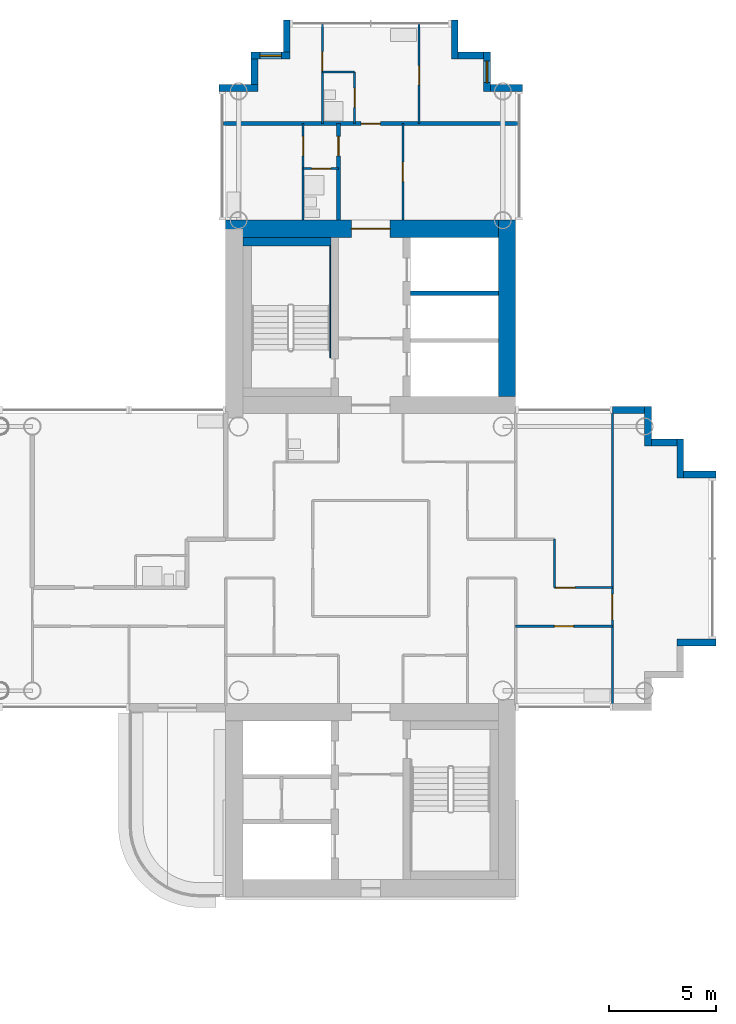
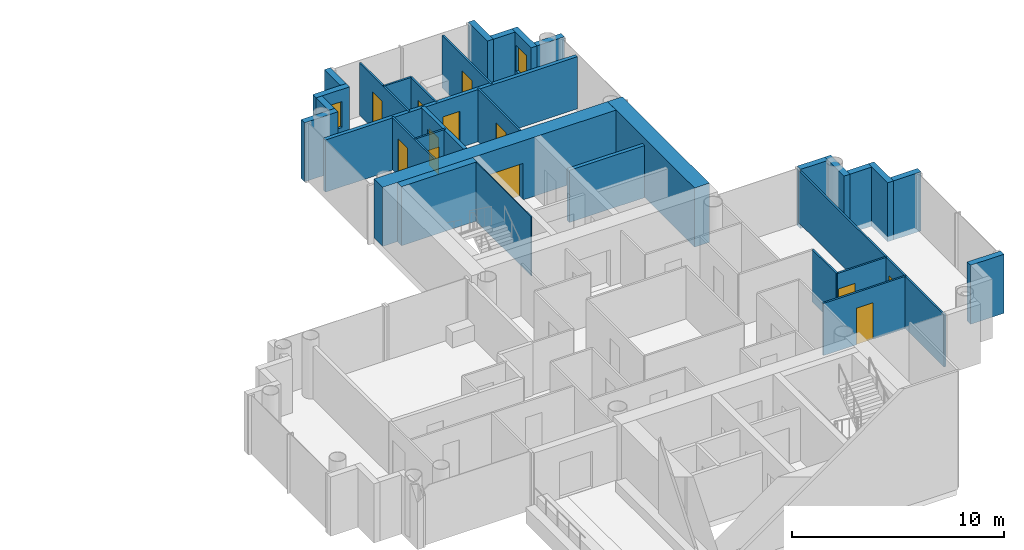
# One storey, part 12 of 19: 32 walls, 12 doors, 2 windows, 14 openings.
"""IFC4 building model written with IfcOpenShell, lengths in metres."""

from ifc_helpers import new_model, si_unit, direction, frame, frame_2d, origin, place, context, subcontext, project, spatial, rectangle, extrude, material, layer, layer_set, type_object, element, fill, save


model = new_model("IFC4")

# Units and contexts
model_context = context("Model", 3, precision=1e-05, world=origin(), true_north=direction((0.0, 1.0)))
body_context = subcontext(model_context, "Body", "Model", "MODEL_VIEW")
ifc_project = project(units=[si_unit("LENGTHUNIT", "METRE"), si_unit("AREAUNIT", "SQUARE_METRE"), si_unit("VOLUMEUNIT", "CUBIC_METRE"), si_unit("PLANEANGLEUNIT", "RADIAN"), si_unit("MASSUNIT", "GRAM", prefix="KILO")], contexts=[model_context])

# Site, building, storey
site_placement = place(None, origin())
site = spatial("IfcSite", under=ifc_project, at=site_placement, CompositionType="ELEMENT")
building_placement = place(site_placement, origin())
building = spatial("IfcBuilding", under=site, at=building_placement, Name="Ipe Terrace Towers", CompositionType="ELEMENT")
storey_placement = place(building_placement, frame((0.0, 0.0, 147.300048828125)))
storey = spatial("IfcBuildingStorey", under=building, at=storey_placement, Name="L40", CompositionType="ELEMENT", Elevation=147.300048828125)

# Walls
ifc_material_1 = material(Name="Concrete C40/50 with buff precast cladding", Category="concrete")
ifc_layer_1 = layer(ifc_material_1, 0.320068359375)
ifc_layer_set_1 = layer_set([ifc_layer_1], Name="BUFF CLADDING WALL 320")
wall_type_1 = type_object("IfcWallType", Name="BUFF CLADDING WALL 320", PredefinedType="STANDARD", material=ifc_layer_set_1)
wall_1_placement = place(storey_placement, frame((50.25, -3.909912109375, -0.300048828125), z_axis=(0.0, 0.0, 1.0), x_axis=(1.0, 0.0, 0.0)))
element("IfcWall", 1, at=wall_1_placement, inside=storey, type_object=wall_type_1, Name="T2-W-L40-07a wall", PredefinedType="STANDARD", context=body_context, shape_type="SweptSolid", body=[
    extrude(rectangle(XDim=1.820068359375, YDim=0.320068359375, at=frame_2d((0.91015625, 0.0))), origin(), (0.0, 0.0, 1.0), 3.39990234375),
])
wall_2_placement = place(storey_placement, frame((52.070068359375, 3.909912109375, -0.300048828125), z_axis=(0.0, 0.0, 1.0), x_axis=(-1.0, 0.0, 0.0)))
element("IfcWall", 2, at=wall_2_placement, inside=storey, type_object=wall_type_1, Name="T2-W-L40-09a wall", PredefinedType="STANDARD", context=body_context, shape_type="SweptSolid", body=[
    extrude(rectangle(XDim=1.5, YDim=0.320068359375, at=frame_2d((0.75, 0.0))), origin(), (0.0, 0.0, 1.0), 3.39990234375),
])
wall_3_placement = place(storey_placement, frame((50.409912109375, 3.75, -0.300048828125), z_axis=(0.0, 0.0, 1.0), x_axis=(0.0, 1.0, 0.0)))
element("IfcWall", 3, at=wall_3_placement, inside=storey, type_object=wall_type_1, Name="T2-W-L40-10a wall", PredefinedType="STANDARD", context=body_context, shape_type="SweptSolid", body=[
    extrude(rectangle(XDim=1.820068359375, YDim=0.320068359375, at=frame_2d((0.91015625, 0.0))), origin(), (0.0, 0.0, 1.0), 3.39990234375),
])
wall_4_placement = place(storey_placement, frame((50.25, 5.409912109375, -0.300048828125), z_axis=(0.0, 0.0, 1.0), x_axis=(-1.0, 0.0, 0.0)))
element("IfcWall", 4, at=wall_4_placement, inside=storey, type_object=wall_type_1, Name="T2-W-L40-11a wall", PredefinedType="STANDARD", context=body_context, shape_type="SweptSolid", body=[
    extrude(rectangle(XDim=1.179931640625, YDim=0.320068359375, at=frame_2d((0.58984375, 0.0))), origin(), (0.0, 0.0, 1.0), 3.39990234375),
])
wall_5_placement = place(storey_placement, frame((48.909912109375, 5.25, -0.300048828125), z_axis=(0.0, 0.0, 1.0), x_axis=(0.0, 1.0, 0.0)))
element("IfcWall", 5, at=wall_5_placement, inside=storey, type_object=wall_type_1, Name="T2-W-L40-12a wall", PredefinedType="STANDARD", context=body_context, shape_type="SweptSolid", body=[
    extrude(rectangle(XDim=1.820068359375, YDim=0.320068359375, at=frame_2d((0.91015625, 0.0))), origin(), (0.0, 0.0, 1.0), 3.39990234375),
])
for number, where, z_axis, x_axis, name in (
    (6, (48.75, 6.909912109375, -0.300048828125), (0.0, 0.0, 1.0), (-1.0, 0.0, 0.0), "T2-W-L40-13a wall"),
    (7, (43.070068359375, 21.909912109375, -0.300048828125), (0.0, 0.0, 1.0), (-1.0, 0.0, 0.0), "T2-W-L40-17a wall"),
):
    element("IfcWall", number, at=place(storey_placement, frame(where, z_axis=z_axis, x_axis=x_axis)), inside=storey, type_object=wall_type_1, Name=name, PredefinedType="STANDARD", context=body_context, shape_type="SweptSolid", body=[
        extrude(rectangle(XDim=1.5, YDim=0.320068359375, at=frame_2d((0.75, 0.0))), origin(), (0.0, 0.0, 1.0), 3.39990234375),
    ])

# Wall, opening, window
wall_6_placement = place(storey_placement, frame((41.409912109375, 21.75, -0.300048828125), z_axis=(0.0, 0.0, 1.0), x_axis=(0.0, 1.0, 0.0)))
wall_6 = element("IfcWall", 8, at=wall_6_placement, inside=storey, type_object=wall_type_1, Name="T2-W-L40-18a wall", PredefinedType="STANDARD", context=body_context, shape_type="SweptSolid", body=[
    extrude(rectangle(XDim=1.820068359375, YDim=0.320068359375, at=frame_2d((0.91015625, 0.0))), origin(), (0.0, 0.0, 1.0), 3.39990234375),
])
opening_1_placement = place(wall_6_placement, frame((0.409912109375, 0.0, 1.199951171875)))
opening_1 = element("IfcOpeningElement", 9, at=opening_1_placement, cuts=wall_6, Name="Opening T2-W-05-L40-02", PredefinedType="OPENING", context=body_context, shape_type="SweptSolid", body=[
    extrude(rectangle(XDim=1.0, YDim=1.5, at=frame_2d((0.5, 0.75))), frame((0.0, 0.169921875, 0.0), z_axis=(0.0, -1.0, 0.0), x_axis=(1.0, 0.0, 0.0)), (0.0, 0.0, 1.0), 0.340087890625),
])
ifc_material_2 = material(Name="Glass, clear laminated", Category="glass")
window_type = type_object("IfcWindowType", Name="DWELLING WINDOW 1000 x 1500", PartitioningType="SINGLE_PANEL", PredefinedType="WINDOW", material=ifc_material_2)
window_1_placement = place(opening_1_placement, origin())
window_1 = element("IfcWindow", 10, at=window_1_placement, inside=storey, type_object=window_type, Name="W-05 window", OverallHeight=1.5, OverallWidth=1.0, PartitioningType="SINGLE_PANEL", PredefinedType="WINDOW", context=body_context, shape_type="SweptSolid", body=[
    extrude(rectangle(XDim=1.0, YDim=1.5, at=frame_2d((0.5, 0.75))), frame((0.0, 0.030029296875, 0.0), z_axis=(0.0, -1.0, 0.0), x_axis=(1.0, 0.0, 0.0)), (0.0, 0.0, 1.0), 0.06005859375),
])
fill(opening_1, window_1)

# Walls
wall_7_placement = place(storey_placement, frame((41.25, 23.409912109375, -0.300048828125), z_axis=(0.0, 0.0, 1.0), x_axis=(-1.0, 0.0, 0.0)))
element("IfcWall", 11, at=wall_7_placement, inside=storey, type_object=wall_type_1, Name="T2-W-L40-19a wall", PredefinedType="STANDARD", context=body_context, shape_type="SweptSolid", body=[
    extrude(rectangle(XDim=1.179931640625, YDim=0.320068359375, at=frame_2d((0.58984375, 0.0))), origin(), (0.0, 0.0, 1.0), 3.39990234375),
])
wall_8_placement = place(storey_placement, frame((39.909912109375, 23.25, -0.300048828125), z_axis=(0.0, 0.0, 1.0), x_axis=(0.0, 1.0, 0.0)))
element("IfcWall", 12, at=wall_8_placement, inside=storey, type_object=wall_type_1, Name="T2-W-L40-20a wall", PredefinedType="STANDARD", context=body_context, shape_type="SweptSolid", body=[
    extrude(rectangle(XDim=1.820068359375, YDim=0.320068359375, at=frame_2d((0.91015625, 0.0))), origin(), (0.0, 0.0, 1.0), 3.39990234375),
])
wall_9_placement = place(storey_placement, frame((32.090087890625, 25.070068359375, -0.300048828125), z_axis=(0.0, 0.0, 1.0), x_axis=(0.0, -1.0, 0.0)))
element("IfcWall", 13, at=wall_9_placement, inside=storey, type_object=wall_type_1, Name="T2-W-L40-22a wall", PredefinedType="STANDARD", context=body_context, shape_type="SweptSolid", body=[
    extrude(rectangle(XDim=1.5, YDim=0.320068359375, at=frame_2d((0.75, 0.0))), origin(), (0.0, 0.0, 1.0), 3.39990234375),
])

# Wall, opening, window
wall_10_placement = place(storey_placement, frame((32.25, 23.409912109375, -0.300048828125), z_axis=(0.0, 0.0, 1.0), x_axis=(-1.0, 0.0, 0.0)))
wall_10 = element("IfcWall", 14, at=wall_10_placement, inside=storey, type_object=wall_type_1, Name="T2-W-L40-23a wall", PredefinedType="STANDARD", context=body_context, shape_type="SweptSolid", body=[
    extrude(rectangle(XDim=1.820068359375, YDim=0.320068359375, at=frame_2d((0.91015625, 0.0))), origin(), (0.0, 0.0, 1.0), 3.39990234375),
])
opening_2_placement = place(wall_10_placement, frame((0.409912109375, 0.0, 1.199951171875)))
opening_2 = element("IfcOpeningElement", 15, at=opening_2_placement, cuts=wall_10, Name="Opening T2-W-05-L40-01", PredefinedType="OPENING", context=body_context, shape_type="SweptSolid", body=[
    extrude(rectangle(XDim=1.0, YDim=1.5, at=frame_2d((0.5, 0.75))), frame((0.0, 0.169921875, 0.0), z_axis=(0.0, -1.0, 0.0), x_axis=(1.0, 0.0, 0.0)), (0.0, 0.0, 1.0), 0.340087890625),
])
window_2_placement = place(opening_2_placement, origin())
window_2 = element("IfcWindow", 16, at=window_2_placement, inside=storey, type_object=window_type, Name="W-05 window", OverallHeight=1.5, OverallWidth=1.0, PartitioningType="SINGLE_PANEL", PredefinedType="WINDOW", context=body_context, shape_type="SweptSolid", body=[
    extrude(rectangle(XDim=1.0, YDim=1.5, at=frame_2d((0.5, 0.75))), frame((0.0, 0.030029296875, 0.0), z_axis=(0.0, -1.0, 0.0), x_axis=(1.0, 0.0, 0.0)), (0.0, 0.0, 1.0), 0.06005859375),
])
fill(opening_2, window_2)

# Walls
wall_11_placement = place(storey_placement, frame((30.590087890625, 23.25, -0.300048828125), z_axis=(0.0, 0.0, 1.0), x_axis=(0.0, -1.0, 0.0)))
element("IfcWall", 17, at=wall_11_placement, inside=storey, type_object=wall_type_1, Name="T2-W-L40-24a wall", PredefinedType="STANDARD", context=body_context, shape_type="SweptSolid", body=[
    extrude(rectangle(XDim=1.179931640625, YDim=0.320068359375, at=frame_2d((0.58984375, 0.0))), origin(), (0.0, 0.0, 1.0), 3.39990234375),
])
wall_12_placement = place(storey_placement, frame((30.75, 21.909912109375, -0.300048828125), z_axis=(0.0, 0.0, 1.0), x_axis=(-1.0, 0.0, 0.0)))
element("IfcWall", 18, at=wall_12_placement, inside=storey, type_object=wall_type_1, Name="T2-W-L40-25a wall", PredefinedType="STANDARD", context=body_context, shape_type="SweptSolid", body=[
    extrude(rectangle(XDim=1.820068359375, YDim=0.320068359375, at=frame_2d((0.91015625, 0.0))), origin(), (0.0, 0.0, 1.0), 3.39990234375),
])

# Wall, opening, door
ifc_material_3 = material(Name="Gypsum board partition", Category="plasterboard")
ifc_layer_2 = layer(ifc_material_3, 0.10009765625)
ifc_layer_set_2 = layer_set([ifc_layer_2], Name="Gypsum board partition 100 mm")
wall_type_2 = type_object("IfcWallType", Name="Gypsum board partition 100 mm", PredefinedType="PARTITIONING", material=ifc_layer_set_2)
wall_13_placement = place(storey_placement, frame((47.25, -3.14990234375, 0.0), z_axis=(0.0, 0.0, 1.0), x_axis=(-1.0, 0.0, 0.0)))
wall_13 = element("IfcWall", 19, at=wall_13_placement, inside=storey, type_object=wall_type_2, Name="Gypsum board partition T2 L40 W03", PredefinedType="PARTITIONING", context=body_context, shape_type="SweptSolid", body=[
    extrude(rectangle(XDim=4.5, YDim=0.10009765625, at=frame_2d((2.25, 0.0))), origin(), (0.0, 0.0, 1.0), 3.0),
])
opening_3_placement = place(wall_13_placement, frame((1.800048828125, 0.0, 0.0)))
opening_3 = element("IfcOpeningElement", 20, at=opening_3_placement, cuts=wall_13, Name="Opening T2-Z3B-16", PredefinedType="OPENING", context=body_context, shape_type="SweptSolid", body=[
    extrude(rectangle(XDim=0.89990234375, YDim=2.10009765625, at=frame_2d((0.449951171875, 1.050048828125))), frame((0.0, 0.06005859375, 0.0), z_axis=(0.0, -1.0, 0.0), x_axis=(1.0, 0.0, 0.0)), (0.0, 0.0, 1.0), 0.1201171875),
])
ifc_material_4 = material(Name="Timber door leaf", Category="wood")
door_type_1 = type_object("IfcDoorType", Name="Lounge door 900 x 2100", OperationType="NOTDEFINED", PredefinedType="DOOR", material=ifc_material_4)
door_1_placement = place(opening_3_placement, origin())
door_1 = element("IfcDoor", 21, at=door_1_placement, inside=storey, type_object=door_type_1, Name="Lounge door T2-Z3B-16", OperationType="SINGLE_SWING_LEFT", OverallHeight=2.10009765625, OverallWidth=0.89990234375, PredefinedType="DOOR", context=body_context, shape_type="SweptSolid", body=[
    extrude(rectangle(XDim=0.89990234375, YDim=2.10009765625, at=frame_2d((0.449951171875, 1.050048828125))), frame((0.0, 0.02490234375, 0.0), z_axis=(0.0, -1.0, 0.0), x_axis=(1.0, 0.0, 0.0)), (0.0, 0.0, 1.0), 0.050048828125),
])
fill(opening_3, door_1)

wall_14_placement = place(storey_placement, frame((47.25, -1.35009765625, 0.0), z_axis=(0.0, 0.0, 1.0), x_axis=(-1.0, 0.0, 0.0)))
wall_14 = element("IfcWall", 22, at=wall_14_placement, inside=storey, type_object=wall_type_2, Name="Gypsum board partition T2 L40 W06", PredefinedType="PARTITIONING", context=body_context, shape_type="SweptSolid", body=[
    extrude(rectangle(XDim=2.699951171875, YDim=0.10009765625, at=frame_2d((1.35009765625, 0.0))), origin(), (0.0, 0.0, 1.0), 3.0),
])
opening_4_placement = place(wall_14_placement, frame((1.72998046875, 0.0, 0.0)))
opening_4 = element("IfcOpeningElement", 23, at=opening_4_placement, cuts=wall_14, Name="Opening T2-Z3B-15", PredefinedType="OPENING", context=body_context, shape_type="SweptSolid", body=[
    extrude(rectangle(XDim=0.89990234375, YDim=2.10009765625, at=frame_2d((0.449951171875, 1.050048828125))), frame((0.0, 0.06005859375, 0.0), z_axis=(0.0, -1.0, 0.0), x_axis=(1.0, 0.0, 0.0)), (0.0, 0.0, 1.0), 0.1201171875),
])
door_2_placement = place(opening_4_placement, origin())
door_2 = element("IfcDoor", 24, at=door_2_placement, inside=storey, type_object=door_type_1, Name="Lounge door T2-Z3B-15", OperationType="SINGLE_SWING_RIGHT", OverallHeight=2.10009765625, OverallWidth=0.89990234375, PredefinedType="DOOR", context=body_context, shape_type="SweptSolid", body=[
    extrude(rectangle(XDim=0.89990234375, YDim=2.10009765625, at=frame_2d((0.449951171875, 1.050048828125))), frame((0.0, 0.02490234375, 0.0), z_axis=(0.0, -1.0, 0.0), x_axis=(1.0, 0.0, 0.0)), (0.0, 0.0, 1.0), 0.050048828125),
])
fill(opening_4, door_2)

wall_15_placement = place(storey_placement, frame((34.5, 18.14990234375, 0.0), z_axis=(0.0, 0.0, 1.0), x_axis=(-1.0, 0.0, 0.0)))
wall_15 = element("IfcWall", 25, at=wall_15_placement, inside=storey, type_object=wall_type_2, Name="Gypsum board partition T2 L40 W17", PredefinedType="PARTITIONING", context=body_context, shape_type="SweptSolid", body=[
    extrude(rectangle(XDim=1.64990234375, YDim=0.10009765625, at=frame_2d((0.824951171875, 0.0))), origin(), (0.0, 0.0, 1.0), 3.0),
])
opening_5_placement = place(wall_15_placement, frame((0.35009765625, 0.0, 0.0)))
opening_5 = element("IfcOpeningElement", 26, at=opening_5_placement, cuts=wall_15, Name="Opening T2-Z3B-20", PredefinedType="OPENING", context=body_context, shape_type="SweptSolid", body=[
    extrude(rectangle(XDim=0.89990234375, YDim=2.10009765625, at=frame_2d((0.449951171875, 1.050048828125))), frame((0.0, 0.06005859375, 0.0), z_axis=(0.0, -1.0, 0.0), x_axis=(1.0, 0.0, 0.0)), (0.0, 0.0, 1.0), 0.1201171875),
])
ifc_material_5 = material(Name="Timber door leaf", Category="wood")
door_type_2 = type_object("IfcDoorType", Name="Bathroom door 900 x 2100", OperationType="NOTDEFINED", PredefinedType="DOOR", material=ifc_material_5)
door_3_placement = place(opening_5_placement, origin())
door_3 = element("IfcDoor", 27, at=door_3_placement, inside=storey, type_object=door_type_2, Name="Bathroom door T2-Z3B-20", OperationType="SINGLE_SWING_RIGHT", OverallHeight=2.10009765625, OverallWidth=0.89990234375, PredefinedType="DOOR", context=body_context, shape_type="SweptSolid", body=[
    extrude(rectangle(XDim=0.89990234375, YDim=2.10009765625, at=frame_2d((0.449951171875, 1.050048828125))), frame((0.0, 0.02490234375, 0.0), z_axis=(0.0, -1.0, 0.0), x_axis=(1.0, 0.0, 0.0)), (0.0, 0.0, 1.0), 0.050048828125),
])
fill(opening_5, door_3)

# Wall
wall_16_placement = place(storey_placement, frame((35.25, 22.64990234375, 0.0), z_axis=(0.0, 0.0, 1.0), x_axis=(-1.0, 0.0, 0.0)))
element("IfcWall", 28, at=wall_16_placement, inside=storey, type_object=wall_type_2, Name="Gypsum board partition T2 L40 W19", PredefinedType="PARTITIONING", context=body_context, shape_type="SweptSolid", body=[
    extrude(rectangle(XDim=1.5, YDim=0.10009765625, at=frame_2d((0.75, 0.0))), origin(), (0.0, 0.0, 1.0), 3.0),
])

# Wall, opening, door
wall_17_placement = place(storey_placement, frame((47.25, -6.85009765625, 0.0), z_axis=(0.0, 0.0, 1.0), x_axis=(0.0, 1.0, 0.0)))
wall_17 = element("IfcWall", 29, at=wall_17_placement, inside=storey, type_object=wall_type_2, Name="Gypsum board partition T2 L40 W20", PredefinedType="PARTITIONING", context=body_context, shape_type="SweptSolid", body=[
    extrude(rectangle(XDim=13.7001953125, YDim=0.10009765625, at=frame_2d((6.85009765625, 0.0))), origin(), (0.0, 0.0, 1.0), 3.0),
])
opening_6_placement = place(wall_17_placement, frame((4.0, 0.0, 0.0)))
opening_6 = element("IfcOpeningElement", 30, at=opening_6_placement, cuts=wall_17, Name="Opening T2-Z3B-17", PredefinedType="OPENING", context=body_context, shape_type="SweptSolid", body=[
    extrude(rectangle(XDim=1.199951171875, YDim=2.10009765625, at=frame_2d((0.60009765625, 1.050048828125))), frame((0.0, 0.06005859375, 0.0), z_axis=(0.0, -1.0, 0.0), x_axis=(1.0, 0.0, 0.0)), (0.0, 0.0, 1.0), 0.1201171875),
])
ifc_material_6 = material(Name="Timber door leaf", Category="wood")
door_type_3 = type_object("IfcDoorType", Name="Lounge door 1200 x 2100", OperationType="NOTDEFINED", PredefinedType="DOOR", material=ifc_material_6)
door_4_placement = place(opening_6_placement, origin())
door_4 = element("IfcDoor", 31, at=door_4_placement, inside=storey, type_object=door_type_3, Name="Lounge door T2-Z3B-17", OperationType="SINGLE_SWING_LEFT", OverallHeight=2.10009765625, OverallWidth=1.199951171875, PredefinedType="DOOR", context=body_context, shape_type="SweptSolid", body=[
    extrude(rectangle(XDim=1.199951171875, YDim=2.10009765625, at=frame_2d((0.60009765625, 1.050048828125))), frame((0.0, 0.02490234375, 0.0), z_axis=(0.0, -1.0, 0.0), x_axis=(1.0, 0.0, 0.0)), (0.0, 0.0, 1.0), 0.050048828125),
])
fill(opening_6, door_4)

# Wall
wall_18_placement = place(storey_placement, frame((44.550048828125, -1.35009765625, 0.0), z_axis=(0.0, 0.0, 1.0), x_axis=(0.0, 1.0, 0.0)))
element("IfcWall", 32, at=wall_18_placement, inside=storey, type_object=wall_type_2, Name="Gypsum board partition T2 L40 W21", PredefinedType="PARTITIONING", context=body_context, shape_type="SweptSolid", body=[
    extrude(rectangle(XDim=2.25, YDim=0.10009765625, at=frame_2d((1.125, 0.0))), origin(), (0.0, 0.0, 1.0), 3.0),
])

# Wall, opening, door
wall_19_placement = place(storey_placement, frame((38.25, 20.25, 0.0), z_axis=(0.0, 0.0, 1.0), x_axis=(0.0, 1.0, 0.0)))
wall_19 = element("IfcWall", 33, at=wall_19_placement, inside=storey, type_object=wall_type_2, Name="Gypsum board partition T2 L40 W27", PredefinedType="PARTITIONING", context=body_context, shape_type="SweptSolid", body=[
    extrude(rectangle(XDim=4.60009765625, YDim=0.10009765625, at=frame_2d((2.300048828125, 0.0))), origin(), (0.0, 0.0, 1.0), 3.0),
])
opening_7_placement = place(wall_19_placement, frame((1.800048828125, 0.0, 0.0)))
opening_7 = element("IfcOpeningElement", 34, at=opening_7_placement, cuts=wall_19, Name="Opening T2-Z3B-25", PredefinedType="OPENING", context=body_context, shape_type="SweptSolid", body=[
    extrude(rectangle(XDim=0.89990234375, YDim=2.10009765625, at=frame_2d((0.449951171875, 1.050048828125))), frame((0.0, 0.06005859375, 0.0), z_axis=(0.0, -1.0, 0.0), x_axis=(1.0, 0.0, 0.0)), (0.0, 0.0, 1.0), 0.1201171875),
])
ifc_material_7 = material(Name="Timber door leaf", Category="wood")
door_type_4 = type_object("IfcDoorType", Name="Bedroom door 900 x 2100", OperationType="NOTDEFINED", PredefinedType="DOOR", material=ifc_material_7)
door_5_placement = place(opening_7_placement, origin())
door_5 = element("IfcDoor", 35, at=door_5_placement, inside=storey, type_object=door_type_4, Name="Bedroom door T2-Z3B-25", OperationType="SINGLE_SWING_LEFT", OverallHeight=2.10009765625, OverallWidth=0.89990234375, PredefinedType="DOOR", context=body_context, shape_type="SweptSolid", body=[
    extrude(rectangle(XDim=0.89990234375, YDim=2.10009765625, at=frame_2d((0.449951171875, 1.050048828125))), frame((0.0, 0.02490234375, 0.0), z_axis=(0.0, -1.0, 0.0), x_axis=(1.0, 0.0, 0.0)), (0.0, 0.0, 1.0), 0.050048828125),
])
fill(opening_7, door_5)

wall_20_placement = place(storey_placement, frame((37.5, 15.75, 0.0), z_axis=(0.0, 0.0, 1.0), x_axis=(0.0, 1.0, 0.0)))
wall_20 = element("IfcWall", 36, at=wall_20_placement, inside=storey, type_object=wall_type_2, Name="Gypsum board partition T2 L40 W30", PredefinedType="PARTITIONING", context=body_context, shape_type="SweptSolid", body=[
    extrude(rectangle(XDim=4.5, YDim=0.10009765625, at=frame_2d((2.25, 0.0))), origin(), (0.0, 0.0, 1.0), 3.0),
])
opening_8_placement = place(wall_20_placement, frame((1.800048828125, 0.0, 0.0)))
opening_8 = element("IfcOpeningElement", 37, at=opening_8_placement, cuts=wall_20, Name="Opening T2-Z3B-21", PredefinedType="OPENING", context=body_context, shape_type="SweptSolid", body=[
    extrude(rectangle(XDim=0.89990234375, YDim=2.10009765625, at=frame_2d((0.449951171875, 1.050048828125))), frame((0.0, 0.06005859375, 0.0), z_axis=(0.0, -1.0, 0.0), x_axis=(1.0, 0.0, 0.0)), (0.0, 0.0, 1.0), 0.1201171875),
])
door_6_placement = place(opening_8_placement, origin())
door_6 = element("IfcDoor", 38, at=door_6_placement, inside=storey, type_object=door_type_1, Name="Lounge door T2-Z3B-21", OperationType="SINGLE_SWING_RIGHT", OverallHeight=2.10009765625, OverallWidth=0.89990234375, PredefinedType="DOOR", context=body_context, shape_type="SweptSolid", body=[
    extrude(rectangle(XDim=0.89990234375, YDim=2.10009765625, at=frame_2d((0.449951171875, 1.050048828125))), frame((0.0, 0.02490234375, 0.0), z_axis=(0.0, -1.0, 0.0), x_axis=(1.0, 0.0, 0.0)), (0.0, 0.0, 1.0), 0.050048828125),
])
fill(opening_8, door_6)

wall_21_placement = place(storey_placement, frame((35.25, 20.25, 0.0), z_axis=(0.0, 0.0, 1.0), x_axis=(0.0, 1.0, 0.0)))
wall_21 = element("IfcWall", 39, at=wall_21_placement, inside=storey, type_object=wall_type_2, Name="Gypsum board partition T2 L40 W31", PredefinedType="PARTITIONING", context=body_context, shape_type="SweptSolid", body=[
    extrude(rectangle(XDim=2.39990234375, YDim=0.10009765625, at=frame_2d((1.199951171875, 0.0))), origin(), (0.0, 0.0, 1.0), 3.0),
])
opening_9_placement = place(wall_21_placement, frame((0.75, 0.0, 0.0)))
opening_9 = element("IfcOpeningElement", 40, at=opening_9_placement, cuts=wall_21, Name="Opening T2-Z3B-22", PredefinedType="OPENING", context=body_context, shape_type="SweptSolid", body=[
    extrude(rectangle(XDim=0.89990234375, YDim=2.10009765625, at=frame_2d((0.449951171875, 1.050048828125))), frame((0.0, 0.06005859375, 0.0), z_axis=(0.0, -1.0, 0.0), x_axis=(1.0, 0.0, 0.0)), (0.0, 0.0, 1.0), 0.1201171875),
])
door_7_placement = place(opening_9_placement, origin())
door_7 = element("IfcDoor", 41, at=door_7_placement, inside=storey, type_object=door_type_2, Name="Bathroom door T2-Z3B-22", OperationType="SINGLE_SWING_LEFT", OverallHeight=2.10009765625, OverallWidth=0.89990234375, PredefinedType="DOOR", context=body_context, shape_type="SweptSolid", body=[
    extrude(rectangle(XDim=0.89990234375, YDim=2.10009765625, at=frame_2d((0.449951171875, 1.050048828125))), frame((0.0, 0.02490234375, 0.0), z_axis=(0.0, -1.0, 0.0), x_axis=(1.0, 0.0, 0.0)), (0.0, 0.0, 1.0), 0.050048828125),
])
fill(opening_9, door_7)

wall_22_placement = place(storey_placement, frame((33.75, 20.25, 0.0), z_axis=(0.0, 0.0, 1.0), x_axis=(0.0, 1.0, 0.0)))
wall_22 = element("IfcWall", 42, at=wall_22_placement, inside=storey, type_object=wall_type_2, Name="Gypsum board partition T2 L40 W35", PredefinedType="PARTITIONING", context=body_context, shape_type="SweptSolid", body=[
    extrude(rectangle(XDim=4.60009765625, YDim=0.10009765625, at=frame_2d((2.300048828125, 0.0))), origin(), (0.0, 0.0, 1.0), 3.0),
])
opening_10_placement = place(wall_22_placement, frame((2.449951171875, 0.0, 0.0)))
opening_10 = element("IfcOpeningElement", 43, at=opening_10_placement, cuts=wall_22, Name="Opening T2-Z3B-24", PredefinedType="OPENING", context=body_context, shape_type="SweptSolid", body=[
    extrude(rectangle(XDim=0.89990234375, YDim=2.10009765625, at=frame_2d((0.449951171875, 1.050048828125))), frame((0.0, 0.06005859375, 0.0), z_axis=(0.0, -1.0, 0.0), x_axis=(1.0, 0.0, 0.0)), (0.0, 0.0, 1.0), 0.1201171875),
])
door_8_placement = place(opening_10_placement, origin())
door_8 = element("IfcDoor", 44, at=door_8_placement, inside=storey, type_object=door_type_4, Name="Bedroom door T2-Z3B-24", OperationType="SINGLE_SWING_LEFT", OverallHeight=2.10009765625, OverallWidth=0.89990234375, PredefinedType="DOOR", context=body_context, shape_type="SweptSolid", body=[
    extrude(rectangle(XDim=0.89990234375, YDim=2.10009765625, at=frame_2d((0.449951171875, 1.050048828125))), frame((0.0, 0.02490234375, 0.0), z_axis=(0.0, -1.0, 0.0), x_axis=(1.0, 0.0, 0.0)), (0.0, 0.0, 1.0), 0.050048828125),
])
fill(opening_10, door_8)

wall_23_placement = place(storey_placement, frame((32.85009765625, 15.75, 0.0), z_axis=(0.0, 0.0, 1.0), x_axis=(0.0, 1.0, 0.0)))
wall_23 = element("IfcWall", 45, at=wall_23_placement, inside=storey, type_object=wall_type_2, Name="Gypsum board partition T2 L40 W37", PredefinedType="PARTITIONING", context=body_context, shape_type="SweptSolid", body=[
    extrude(rectangle(XDim=4.5, YDim=0.10009765625, at=frame_2d((2.25, 0.0))), origin(), (0.0, 0.0, 1.0), 3.0),
])
opening_11_placement = place(wall_23_placement, frame((3.0, 0.0, 0.0)))
opening_11 = element("IfcOpeningElement", 46, at=opening_11_placement, cuts=wall_23, Name="Opening T2-Z3B-19", PredefinedType="OPENING", context=body_context, shape_type="SweptSolid", body=[
    extrude(rectangle(XDim=0.89990234375, YDim=2.10009765625, at=frame_2d((0.449951171875, 1.050048828125))), frame((0.0, 0.06005859375, 0.0), z_axis=(0.0, -1.0, 0.0), x_axis=(1.0, 0.0, 0.0)), (0.0, 0.0, 1.0), 0.1201171875),
])
door_9_placement = place(opening_11_placement, origin())
door_9 = element("IfcDoor", 47, at=door_9_placement, inside=storey, type_object=door_type_4, Name="Bedroom door T2-Z3B-19", OperationType="SINGLE_SWING_LEFT", OverallHeight=2.10009765625, OverallWidth=0.89990234375, PredefinedType="DOOR", context=body_context, shape_type="SweptSolid", body=[
    extrude(rectangle(XDim=0.89990234375, YDim=2.10009765625, at=frame_2d((0.449951171875, 1.050048828125))), frame((0.0, 0.02490234375, 0.0), z_axis=(0.0, -1.0, 0.0), x_axis=(1.0, 0.0, 0.0)), (0.0, 0.0, 1.0), 0.050048828125),
])
fill(opening_11, door_9)

# Wall
ifc_material_8 = material(Name="Gypsum board party wall", Category="plasterboard")
ifc_layer_3 = layer(ifc_material_8, 0.199951171875)
ifc_layer_set_3 = layer_set([ifc_layer_3], Name="Gypsum board party wall 200 mm")
wall_type_3 = type_object("IfcWallType", Name="Gypsum board party wall 200 mm", PredefinedType="SOLIDWALL", material=ifc_layer_set_3)
wall_24_placement = place(storey_placement, frame((41.949951171875, 12.35009765625, 0.0), z_axis=(0.0, 0.0, 1.0), x_axis=(-1.0, 0.0, 0.0)))
element("IfcWall", 48, at=wall_24_placement, inside=storey, type_object=wall_type_3, Name="Gypsum board party wall T2 L40 t2c1-shaft-div2", PredefinedType="SOLIDWALL", context=body_context, shape_type="SweptSolid", body=[
    extrude(rectangle(XDim=4.099853515625, YDim=0.199951171875, at=frame_2d((2.0498046875, 0.0))), origin(), (0.0, 0.0, 1.0), 3.0),
])

# Wall, opening, door
wall_25_placement = place(storey_placement, frame((42.85009765625, 20.25, 0.0), z_axis=(0.0, 0.0, 1.0), x_axis=(-1.0, 0.0, 0.0)))
wall_25 = element("IfcWall", 49, at=wall_25_placement, inside=storey, type_object=wall_type_3, Name="Gypsum board party wall T2 L40 W18", PredefinedType="SOLIDWALL", context=body_context, shape_type="SweptSolid", body=[
    extrude(rectangle(XDim=13.7001953125, YDim=0.199951171875, at=frame_2d((6.85009765625, 0.0))), origin(), (0.0, 0.0, 1.0), 3.0),
])
opening_12_placement = place(wall_25_placement, frame((6.39990234375, 0.0, 0.0)))
opening_12 = element("IfcOpeningElement", 50, at=opening_12_placement, cuts=wall_25, Name="Opening T2-Z3B-23", PredefinedType="OPENING", context=body_context, shape_type="SweptSolid", body=[
    extrude(rectangle(XDim=0.89990234375, YDim=2.10009765625, at=frame_2d((0.449951171875, 1.050048828125))), frame((0.0, 0.10986328125, 0.0), z_axis=(0.0, -1.0, 0.0), x_axis=(1.0, 0.0, 0.0)), (0.0, 0.0, 1.0), 0.219970703125),
])
ifc_material_9 = material(Name="Fire-rated timber door leaf", Category="wood")
door_type_5 = type_object("IfcDoorType", Name="Flat entrance door 900 x 2100 FD30S", OperationType="NOTDEFINED", PredefinedType="DOOR", material=ifc_material_9)
door_10_placement = place(opening_12_placement, origin())
door_10 = element("IfcDoor", 51, at=door_10_placement, inside=storey, type_object=door_type_5, Name="Flat entrance door T2-Z3B-23", OperationType="SINGLE_SWING_RIGHT", OverallHeight=2.10009765625, OverallWidth=0.89990234375, PredefinedType="DOOR", context=body_context, shape_type="SweptSolid", body=[
    extrude(rectangle(XDim=0.89990234375, YDim=2.10009765625, at=frame_2d((0.449951171875, 1.050048828125))), frame((0.0, 0.02490234375, 0.0), z_axis=(0.0, -1.0, 0.0), x_axis=(1.0, 0.0, 0.0)), (0.0, 0.0, 1.0), 0.050048828125),
])
fill(opening_12, door_10)

wall_26_placement = place(storey_placement, frame((34.5, 15.75, 0.0), z_axis=(0.0, 0.0, 1.0), x_axis=(0.0, 1.0, 0.0)))
wall_26 = element("IfcWall", 52, at=wall_26_placement, inside=storey, type_object=wall_type_3, Name="Gypsum board party wall T2 L40 W34", PredefinedType="SOLIDWALL", context=body_context, shape_type="SweptSolid", body=[
    extrude(rectangle(XDim=4.5, YDim=0.199951171875, at=frame_2d((2.25, 0.0))), origin(), (0.0, 0.0, 1.0), 3.0),
])
opening_13_placement = place(wall_26_placement, frame((3.0, 0.0, 0.0)))
opening_13 = element("IfcOpeningElement", 53, at=opening_13_placement, cuts=wall_26, Name="Opening T2-Z3B-18", PredefinedType="OPENING", context=body_context, shape_type="SweptSolid", body=[
    extrude(rectangle(XDim=0.89990234375, YDim=2.10009765625, at=frame_2d((0.449951171875, 1.050048828125))), frame((0.0, 0.10986328125, 0.0), z_axis=(0.0, -1.0, 0.0), x_axis=(1.0, 0.0, 0.0)), (0.0, 0.0, 1.0), 0.219970703125),
])
door_11_placement = place(opening_13_placement, origin())
door_11 = element("IfcDoor", 54, at=door_11_placement, inside=storey, type_object=door_type_5, Name="Flat entrance door T2-Z3B-18", OperationType="SINGLE_SWING_LEFT", OverallHeight=2.10009765625, OverallWidth=0.89990234375, PredefinedType="DOOR", context=body_context, shape_type="SweptSolid", body=[
    extrude(rectangle(XDim=0.89990234375, YDim=2.10009765625, at=frame_2d((0.449951171875, 1.050048828125))), frame((0.0, 0.02490234375, 0.0), z_axis=(0.0, -1.0, 0.0), x_axis=(1.0, 0.0, 0.0)), (0.0, 0.0, 1.0), 0.050048828125),
])
fill(opening_13, door_11)

# Walls
ifc_material_10 = material(Name="Concrete C50/60", Category="concrete")
ifc_layer_4 = layer(ifc_material_10, 0.39990234375)
ifc_layer_set_4 = layer_set([ifc_layer_4], Name="RW400 CORE INFILL WALL 400 C50-60")
wall_type_4 = type_object("IfcWallType", Name="RW400 CORE INFILL WALL 400 C50-60", PredefinedType="SHEAR", material=ifc_layer_set_4)
wall_27_placement = place(storey_placement, frame((34.14990234375, 14.75, 0.0), z_axis=(0.0, 0.0, 1.0), x_axis=(-1.0, 0.0, 0.0)))
element("IfcWall", 55, at=wall_27_placement, inside=storey, type_object=wall_type_4, Name="Core infill wall T2-C1-far", PredefinedType="SHEAR", context=body_context, shape_type="SweptSolid", body=[
    extrude(rectangle(XDim=4.099853515625, YDim=0.39990234375, at=frame_2d((2.0498046875, 0.0))), origin(), (0.0, 0.0, 1.0), 3.39990234375),
])
ifc_material_11 = material(Name="Concrete C50/60", Category="concrete")
ifc_layer_5 = layer(ifc_material_11, 0.050048828125)
ifc_layer_set_5 = layer_set([ifc_layer_5], Name="RW50 CORE INFILL WALL 50 C50-60")
wall_type_5 = type_object("IfcWallType", Name="RW50 CORE INFILL WALL 50 C50-60", PredefinedType="SHEAR", material=ifc_layer_set_5)
wall_28_placement = place(storey_placement, frame((34.125, 9.35009765625, 0.0), z_axis=(0.0, 0.0, 1.0), x_axis=(0.0, 1.0, 0.0)))
element("IfcWall", 56, at=wall_28_placement, inside=storey, type_object=wall_type_5, Name="Core infill wall T2-C1-spine-b", PredefinedType="SHEAR", context=body_context, shape_type="SweptSolid", body=[
    extrude(rectangle(XDim=5.199951171875, YDim=0.050048828125, at=frame_2d((2.60009765625, 0.0))), origin(), (0.0, 0.0, 1.0), 3.39990234375),
])
ifc_material_12 = material(Name="Concrete C50/60", Category="concrete")
ifc_layer_6 = layer(ifc_material_12, 0.800048828125)
ifc_layer_set_6 = layer_set([ifc_layer_6], Name="RW800 CORE WALL 800 C50-60")
wall_type_6 = type_object("IfcWallType", Name="RW800 CORE WALL 800 C50-60", PredefinedType="SHEAR", material=ifc_layer_set_6)
wall_29_placement = place(storey_placement, frame((42.35009765625, 7.550048828125, 0.0), z_axis=(0.0, 0.0, 1.0), x_axis=(0.0, 1.0, 0.0)))
element("IfcWall", 57, at=wall_29_placement, inside=storey, type_object=wall_type_6, Name="Core wall T2-C1-Z3-W02", PredefinedType="SHEAR", context=body_context, shape_type="SweptSolid", body=[
    extrude(rectangle(XDim=8.199951171875, YDim=0.800048828125, at=frame_2d((4.10009765625, 0.0))), origin(), (0.0, 0.0, 1.0), 3.39990234375),
])

# Wall, opening, door
wall_30_placement = place(storey_placement, frame((41.949951171875, 15.35009765625, 0.0), z_axis=(0.0, 0.0, 1.0), x_axis=(-1.0, 0.0, 0.0)))
wall_30 = element("IfcWall", 58, at=wall_30_placement, inside=storey, type_object=wall_type_6, Name="Core wall T2-C1-Z3-W03", PredefinedType="SHEAR", context=body_context, shape_type="SweptSolid", body=[
    extrude(rectangle(XDim=12.699951171875, YDim=0.800048828125, at=frame_2d((6.35009765625, 0.0))), origin(), (0.0, 0.0, 1.0), 3.39990234375),
])
opening_14_placement = place(wall_30_placement, frame((5.050048828125, 0.0, 0.0)))
opening_14 = element("IfcOpeningElement", 59, at=opening_14_placement, cuts=wall_30, Name="Opening T2C1-FD", PredefinedType="OPENING", context=body_context, shape_type="SweptSolid", body=[
    extrude(rectangle(XDim=1.800048828125, YDim=2.10009765625, at=frame_2d((0.89990234375, 1.050048828125))), frame((0.0, 0.41015625, 0.0), z_axis=(0.0, -1.0, 0.0), x_axis=(1.0, 0.0, 0.0)), (0.0, 0.0, 1.0), 0.820068359375),
])
ifc_material_13 = material(Name="Fire-rated timber door leaf", Category="wood")
door_type_6 = type_object("IfcDoorType", Name="Fire door 1800 x 2100 FD30S", OperationType="NOTDEFINED", PredefinedType="DOOR", material=ifc_material_13)
door_12_placement = place(opening_14_placement, origin())
door_12 = element("IfcDoor", 60, at=door_12_placement, inside=storey, type_object=door_type_6, Name="Fire door T2C1-FD", OperationType="SINGLE_SWING_LEFT", OverallHeight=2.10009765625, OverallWidth=1.800048828125, PredefinedType="DOOR", context=body_context, shape_type="SweptSolid", body=[
    extrude(rectangle(XDim=1.800048828125, YDim=2.10009765625, at=frame_2d((0.89990234375, 1.050048828125))), frame((0.0, 0.02490234375, 0.0), z_axis=(0.0, -1.0, 0.0), x_axis=(1.0, 0.0, 0.0)), (0.0, 0.0, 1.0), 0.050048828125),
])
fill(opening_14, door_12)

save(model, "model.ifc")
